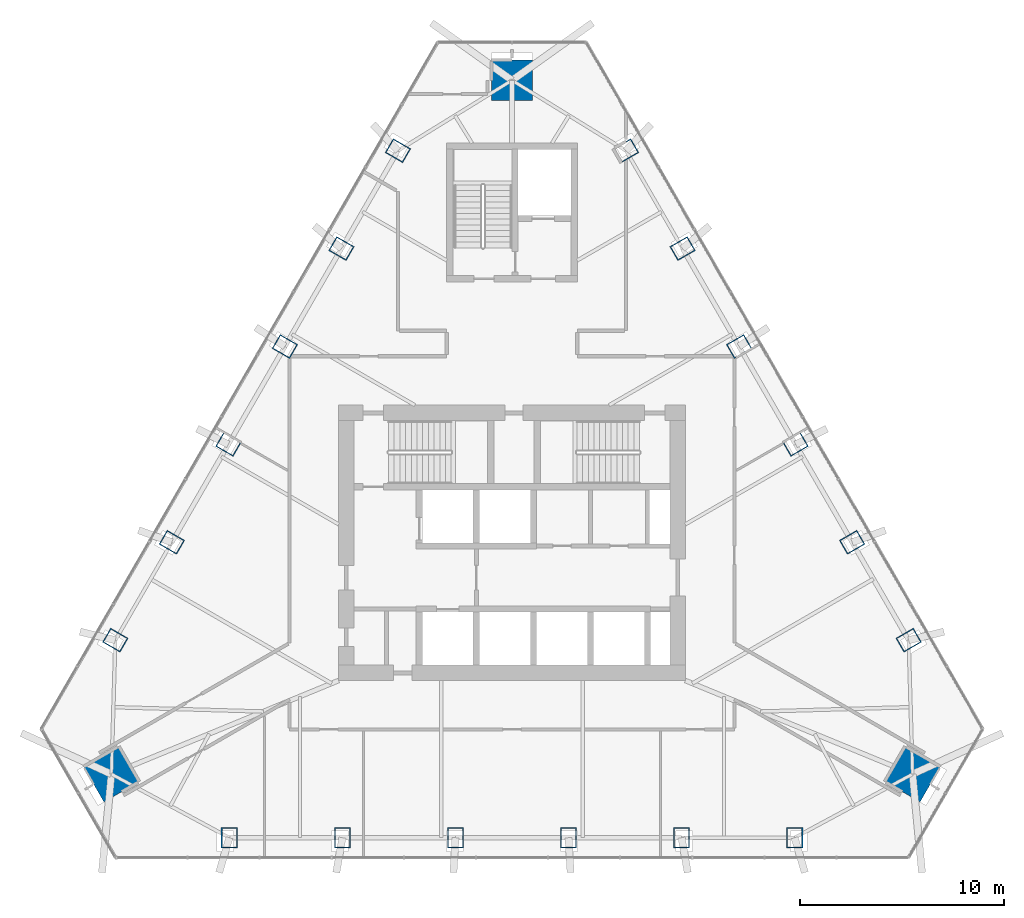
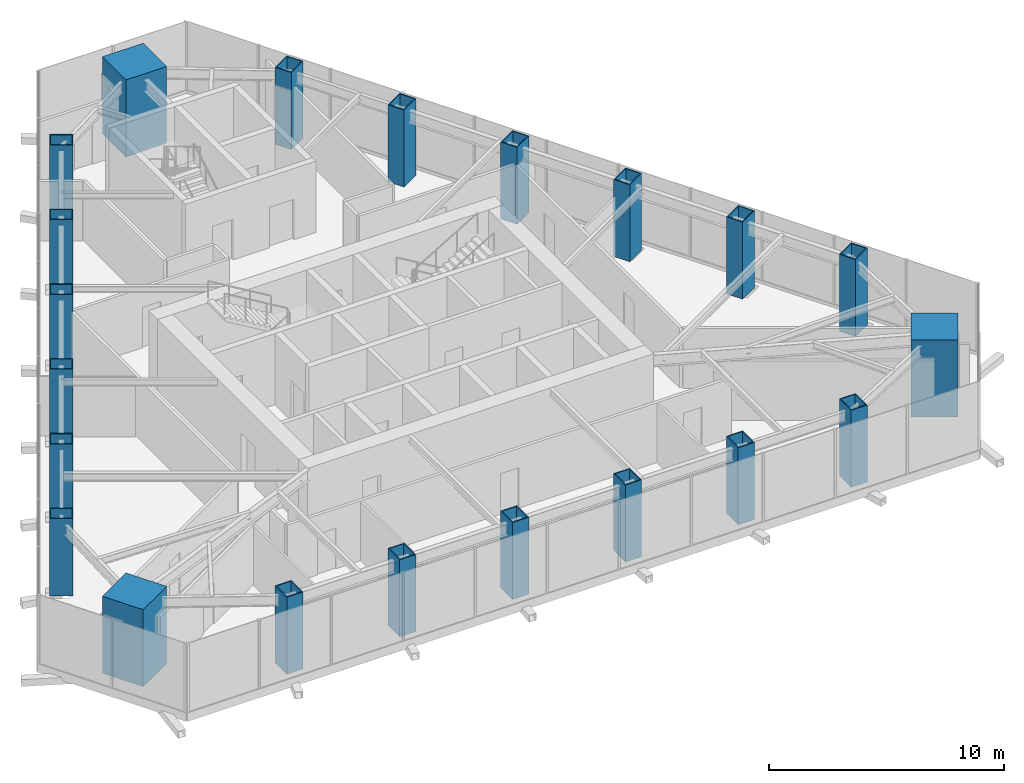
# One storey, part 1 of 14: 21 columns.
"""IFC4 building model written with IfcOpenShell, lengths in metres."""

from ifc_helpers import new_model, si_unit, direction, frame, origin, origin_2d, place, context, subcontext, project, spatial, rectangle, hollow_rectangle, extrude, material, material_profile, profile_set, type_object, element, save


model = new_model("IFC4")

# Units and contexts
model_context = context("Model", 3, precision=1e-05, world=origin(), true_north=direction((0.0, 1.0)))
body_context = subcontext(model_context, "Body", "Model", "MODEL_VIEW")
ifc_project = project(units=[si_unit("LENGTHUNIT", "METRE"), si_unit("AREAUNIT", "SQUARE_METRE"), si_unit("VOLUMEUNIT", "CUBIC_METRE"), si_unit("PLANEANGLEUNIT", "RADIAN"), si_unit("MASSUNIT", "GRAM", prefix="KILO")], contexts=[model_context])

# Site, building, storey
site_placement = place(None, origin())
site = spatial("IfcSite", under=ifc_project, at=site_placement, CompositionType="ELEMENT")
building_placement = place(site_placement, origin())
building = spatial("IfcBuilding", under=site, at=building_placement, Name="Firuza Gate Tower and Library", CompositionType="ELEMENT")
storey_placement = place(building_placement, frame((0.0, 0.0, 331.60009765625)))
storey = spatial("IfcBuildingStorey", under=building, at=storey_placement, Name="L81", CompositionType="ELEMENT", Elevation=331.60009765625)

# Columns
ifc_material_1 = material(Name="Steel S355", Category="steel")
ifc_material_profile_1 = material_profile(ifc_material_1, hollow_rectangle(XDim=0.800048828125, YDim=1.0, WallThickness=0.050048828125, at=origin_2d()))
ifc_profile_set_1 = profile_set([ifc_material_profile_1], Name="Steel S355")
column_type_1 = type_object("IfcColumnType", Name="BU1000x800x50 Composite box column", PredefinedType="COLUMN", material=ifc_profile_set_1)
for number, where, z_axis, x_axis, name in (
    (1, (61.142822265625, 60.54248046875, -0.00048828125), (0.0, 0.0, 1.0), (1.0, 0.0, 0.0), "Column S1 L81"),
    (2, (66.685791015625, 60.54248046875, -0.00048828125), (0.0, 0.0, 1.0), (1.0, 0.0, 0.0), "Column S2 L81"),
    (3, (72.228515625, 60.54248046875, -0.00048828125), (0.0, 0.0, 1.0), (1.0, 0.0, 0.0), "Column S3 L81"),
    (4, (77.771484375, 60.54248046875, -0.00048828125), (0.0, 0.0, 1.0), (1.0, 0.0, 0.0), "Column S4 L81"),
    (5, (83.314208984375, 60.54248046875, -0.00048828125), (0.0, 0.0, 1.0), (1.0, 0.0, 0.0), "Column S5 L81"),
    (6, (88.857177734375, 60.54248046875, -0.00048828125), (0.0, 0.0, 1.0), (1.0, 0.0, 0.0), "Column S6 L81"),
    (7, (94.44921875, 70.22802734375, -0.00048828125), (0.0, 0.0, 1.0), (-0.5, 0.866025403784, 0.0), "Column E1 L81"),
    (8, (91.677734375, 75.0283203125, -0.00048828125), (0.0, 0.0, 1.0), (-0.5, 0.866025403784, 0.0), "Column E2 L81"),
    (9, (88.90625, 79.82861328125, -0.00048828125), (0.0, 0.0, 1.0), (-0.5, 0.866025403784, 0.0), "Column E3 L81"),
    (10, (86.134765625, 84.62890625, -0.00048828125), (0.0, 0.0, 1.0), (-0.5, 0.866025403784, 0.0), "Column E4 L81"),
    (11, (83.363525390625, 89.42919921875, -0.00048828125), (0.0, 0.0, 1.0), (-0.5, 0.866025403784, 0.0), "Column E5 L81"),
    (12, (80.592041015625, 94.2294921875, -0.00048828125), (0.0, 0.0, 1.0), (-0.5, 0.866025403784, 0.0), "Column E6 L81"),
    (13, (69.407958984375, 94.2294921875, -0.00048828125), (0.0, 0.0, 1.0), (-0.5, -0.866025403784, 0.0), "Column W1 L81"),
    (14, (66.636474609375, 89.42919921875, -0.00048828125), (0.0, 0.0, 1.0), (-0.5, -0.866025403784, 0.0), "Column W2 L81"),
    (15, (63.865234375, 84.62890625, -0.00048828125), (0.0, 0.0, 1.0), (-0.5, -0.866025403784, 0.0), "Column W3 L81"),
    (16, (61.09375, 79.82861328125, -0.00048828125), (0.0, 0.0, 1.0), (-0.5, -0.866025403784, 0.0), "Column W4 L81"),
    (17, (58.322265625, 75.0283203125, -0.00048828125), (0.0, 0.0, 1.0), (-0.5, -0.866025403784, 0.0), "Column W5 L81"),
    (18, (55.55078125, 70.22802734375, -0.00048828125), (0.0, 0.0, 1.0), (-0.5, -0.866025403784, 0.0), "Column W6 L81"),
):
    element("IfcColumn", number, at=place(storey_placement, frame(where, z_axis=z_axis, x_axis=x_axis)), inside=storey, type_object=column_type_1, Name=name, PredefinedType="COLUMN", context=body_context, shape_type="SweptSolid", body=[
        extrude(hollow_rectangle(XDim=0.800048828125, YDim=1.0, WallThickness=0.050048828125, at=origin_2d()), origin(), (0.0, 0.0, 1.0), 4.00048828125),
    ])
ifc_material_2 = material(Name="Concrete C80/95", Category="concrete")
ifc_material_profile_2 = material_profile(ifc_material_2, rectangle(XDim=2.0, YDim=2.0, at=origin_2d()))
ifc_profile_set_2 = profile_set([ifc_material_profile_2], Name="Concrete C80/95")
column_type_2 = type_object("IfcColumnType", Name="Mega column 2000x2000 C80/95", PredefinedType="COLUMN", material=ifc_profile_set_2)
for number, where, z_axis, x_axis, name in (
    (19, (94.64111328125, 63.66015625, 0.0), (0.0, 0.0, 1.0), (0.5, 0.866025403784, 0.0), "Mega column SE L81"),
    (20, (75.0, 97.6796875, 0.0), (0.0, 0.0, 1.0), (-1.0, 0.0, 0.0), "Mega column N L81"),
    (21, (55.35888671875, 63.66015625, 0.0), (0.0, 0.0, 1.0), (0.5, -0.866025403784, 0.0), "Mega column SW L81"),
):
    element("IfcColumn", number, at=place(storey_placement, frame(where, z_axis=z_axis, x_axis=x_axis)), inside=storey, type_object=column_type_2, Name=name, PredefinedType="COLUMN", context=body_context, shape_type="SweptSolid", body=[
        extrude(rectangle(XDim=2.0, YDim=2.0, at=origin_2d()), origin(), (0.0, 0.0, 1.0), 4.0),
    ])

save(model, "model.ifc")
